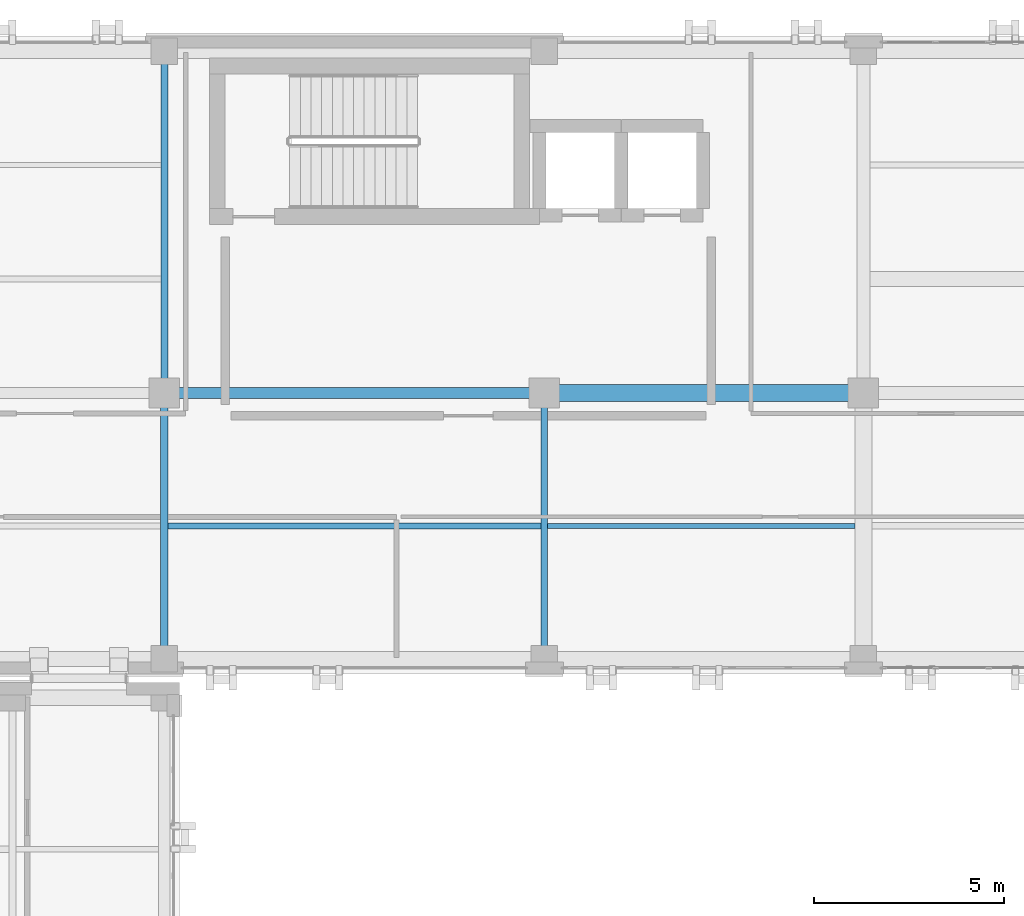
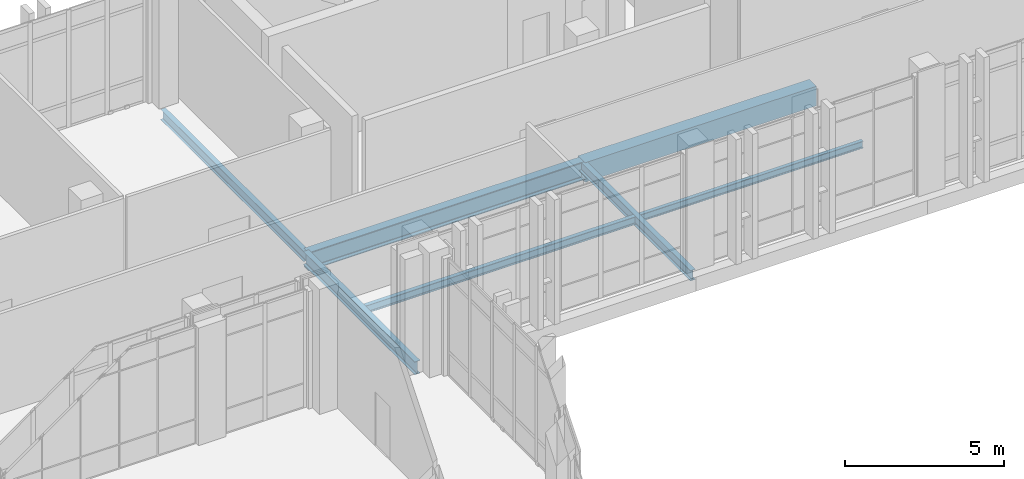
# One storey, part 90 of 189: 7 beams.
"""IFC4 building model written with IfcOpenShell, lengths in metres."""

from ifc_helpers import new_model, si_unit, direction, frame, origin, origin_2d, place, context, subcontext, project, spatial, rectangle, i_section, extrude, material, material_profile, profile_set, type_object, element, save


model = new_model("IFC4")

# Units and contexts
model_context = context("Model", 3, precision=1e-05, world=origin(), true_north=direction((0.0, 1.0)))
body_context = subcontext(model_context, "Body", "Model", "MODEL_VIEW")
ifc_project = project(units=[si_unit("LENGTHUNIT", "METRE"), si_unit("AREAUNIT", "SQUARE_METRE"), si_unit("VOLUMEUNIT", "CUBIC_METRE"), si_unit("PLANEANGLEUNIT", "RADIAN"), si_unit("MASSUNIT", "GRAM", prefix="KILO")], contexts=[model_context])

# Site, building, storey
site_placement = place(None, origin())
site = spatial("IfcSite", under=ifc_project, at=site_placement, CompositionType="ELEMENT")
building_placement = place(site_placement, origin())
building = spatial("IfcBuilding", under=site, at=building_placement, Name="Qalavern Law Courts", CompositionType="ELEMENT")
storey_placement = place(building_placement, frame((0.0, 0.0, 5.39990234375)))
storey = spatial("IfcBuildingStorey", under=building, at=storey_placement, Name="L01", CompositionType="ELEMENT", Elevation=5.39990234375)

# Beams
ifc_material_1 = material(Name="Steel S355", Category="steel")
ifc_material_profile_1 = material_profile(ifc_material_1, i_section(OverallWidth=0.300048828125, OverallDepth=0.699951171875, WebThickness=0.01708984375, FlangeThickness=0.031982421875, FilletRadius=0.027099609375, at=origin_2d()), Name="HEB 700")
ifc_profile_set_1 = profile_set([ifc_material_profile_1], Name="Steel S355")
beam_type_1 = type_object("IfcBeamType", Name="STR-BM-HEB700", PredefinedType="BEAM", material=ifc_profile_set_1)
beam_1_placement = place(storey_placement, frame((18.39990234375, 103.60009765625, -0.64990234375), z_axis=(1.0, 0.0, 0.0), x_axis=(0.0, 1.0, 0.0)))
element("IfcBeam", 1, at=beam_1_placement, inside=storey, type_object=beam_type_1, Name="V5 X-beam 2-3 L01", PredefinedType="BEAM", context=body_context, shape_type="SweptSolid", body=[
    extrude(i_section(OverallWidth=0.300048828125, OverallDepth=0.699951171875, WebThickness=0.01708984375, FlangeThickness=0.031982421875, FilletRadius=0.027099609375, at=origin_2d()), origin(), (0.0, 0.0, 1.0), 10.0),
])
ifc_material_profile_2 = material_profile(ifc_material_1, i_section(OverallWidth=0.179931640625, OverallDepth=0.39990234375, WebThickness=0.008544921875, FlangeThickness=0.013427734375, FilletRadius=0.02099609375, at=origin_2d()), Name="IPE 400")
ifc_profile_set_2 = profile_set([ifc_material_profile_2], Name="Steel S355")
beam_type_2 = type_object("IfcBeamType", Name="STR-BM-IPE400", PredefinedType="BEAM", material=ifc_profile_set_2)
beam_2_placement = place(storey_placement, frame((18.39990234375, 103.60009765625, -0.5), z_axis=(0.0, 1.0, 0.0), x_axis=(-1.0, 0.0, 0.0)))
element("IfcBeam", 2, at=beam_2_placement, inside=storey, type_object=beam_type_2, Name="V5 Y-beam 3-2 L01", PredefinedType="BEAM", context=body_context, shape_type="SweptSolid", body=[
    extrude(i_section(OverallWidth=0.179931640625, OverallDepth=0.39990234375, WebThickness=0.008544921875, FlangeThickness=0.013427734375, FilletRadius=0.02099609375, at=origin_2d()), origin(), (0.0, 0.0, 1.0), 9.0),
])
beam_3_placement = place(storey_placement, frame((28.39990234375, 96.60009765625, -0.5), z_axis=(0.0, 1.0, 0.0), x_axis=(-1.0, 0.0, 0.0)))
element("IfcBeam", 3, at=beam_3_placement, inside=storey, type_object=beam_type_2, Name="V5 Y-beam 4-1 L01", PredefinedType="BEAM", context=body_context, shape_type="SweptSolid", body=[
    extrude(i_section(OverallWidth=0.179931640625, OverallDepth=0.39990234375, WebThickness=0.008544921875, FlangeThickness=0.013427734375, FilletRadius=0.02099609375, at=origin_2d()), origin(), (0.0, 0.0, 1.0), 7.0),
])
ifc_material_profile_3 = material_profile(ifc_material_1, i_section(OverallWidth=0.199951171875, OverallDepth=0.5, WebThickness=0.01025390625, FlangeThickness=0.01611328125, FilletRadius=0.02099609375, at=origin_2d()), Name="IPE 500")
ifc_profile_set_3 = profile_set([ifc_material_profile_3], Name="Steel S355")
beam_type_3 = type_object("IfcBeamType", Name="STR-BM-IPE500", PredefinedType="BEAM", material=ifc_profile_set_3)
beam_4_placement = place(storey_placement, frame((18.39990234375, 96.60009765625, -0.5498046875), z_axis=(0.0, 1.0, 0.0), x_axis=(-1.0, 0.0, 0.0)))
element("IfcBeam", 4, at=beam_4_placement, inside=storey, type_object=beam_type_3, Name="V5 Y-beam 3-1 L01", PredefinedType="BEAM", context=body_context, shape_type="SweptSolid", body=[
    extrude(i_section(OverallWidth=0.199951171875, OverallDepth=0.5, WebThickness=0.01025390625, FlangeThickness=0.01611328125, FilletRadius=0.02099609375, at=origin_2d()), origin(), (0.0, 0.0, 1.0), 7.0),
])
ifc_material_2 = material(Name="Concrete C40/50", Category="concrete")
ifc_material_profile_4 = material_profile(ifc_material_2, rectangle(XDim=0.449951171875, YDim=0.75, at=origin_2d()), Name="RC 450x750")
ifc_profile_set_4 = profile_set([ifc_material_profile_4], Name="Concrete C40/50")
beam_type_4 = type_object("IfcBeamType", Name="STR-BM-RC450x750", PredefinedType="BEAM", material=ifc_profile_set_4)
beam_5_placement = place(storey_placement, frame((28.39990234375, 103.60009765625, -0.6748046875), z_axis=(1.0, 0.0, 0.0), x_axis=(0.0, 1.0, 0.0)))
element("IfcBeam", 5, at=beam_5_placement, inside=storey, type_object=beam_type_4, Name="V5 X-beam 2-4 L01", PredefinedType="BEAM", context=body_context, shape_type="SweptSolid", body=[
    extrude(rectangle(XDim=0.449951171875, YDim=0.75, at=origin_2d()), origin(), (0.0, 0.0, 1.0), 8.400146484375),
])
ifc_material_profile_5 = material_profile(ifc_material_1, i_section(OverallWidth=0.135009765625, OverallDepth=0.27001953125, WebThickness=0.006591796875, FlangeThickness=0.01025390625, FilletRadius=0.014892578125, at=origin_2d()), Name="IPE 270")
ifc_profile_set_5 = profile_set([ifc_material_profile_5], Name="Steel S355")
beam_type_5 = type_object("IfcBeamType", Name="STR-JST-IPE270", PredefinedType="JOIST", material=ifc_profile_set_5)
beam_6_placement = place(storey_placement, frame((28.488037109375, 100.10009765625, -0.434814453125), z_axis=(1.0, 0.0, 0.0), x_axis=(0.0, 1.0, 0.0)))
element("IfcBeam", 6, at=beam_6_placement, inside=storey, type_object=beam_type_5, Name="V5 secondary joist 4.1.1 L01", PredefinedType="JOIST", context=body_context, shape_type="SweptSolid", body=[
    extrude(i_section(OverallWidth=0.135009765625, OverallDepth=0.27001953125, WebThickness=0.006591796875, FlangeThickness=0.01025390625, FilletRadius=0.014892578125, at=origin_2d()), origin(), (0.0, 0.0, 1.0), 8.0888671875),
])
ifc_material_profile_6 = material_profile(ifc_material_1, i_section(OverallWidth=0.14990234375, OverallDepth=0.300048828125, WebThickness=0.007080078125, FlangeThickness=0.0107421875, FilletRadius=0.014892578125, at=origin_2d()), Name="IPE 300")
ifc_profile_set_6 = profile_set([ifc_material_profile_6], Name="Steel S355")
beam_type_6 = type_object("IfcBeamType", Name="STR-JST-IPE300", PredefinedType="JOIST", material=ifc_profile_set_6)
beam_7_placement = place(storey_placement, frame((18.498046875, 100.10009765625, -0.449951171875), z_axis=(1.0, 0.0, 0.0), x_axis=(0.0, 1.0, 0.0)))
element("IfcBeam", 7, at=beam_7_placement, inside=storey, type_object=beam_type_6, Name="V5 secondary joist 3.1.1 L01", PredefinedType="JOIST", context=body_context, shape_type="SweptSolid", body=[
    extrude(i_section(OverallWidth=0.14990234375, OverallDepth=0.300048828125, WebThickness=0.007080078125, FlangeThickness=0.0107421875, FilletRadius=0.014892578125, at=origin_2d()), origin(), (0.0, 0.0, 1.0), 9.81396484375),
])

save(model, "model.ifc")
